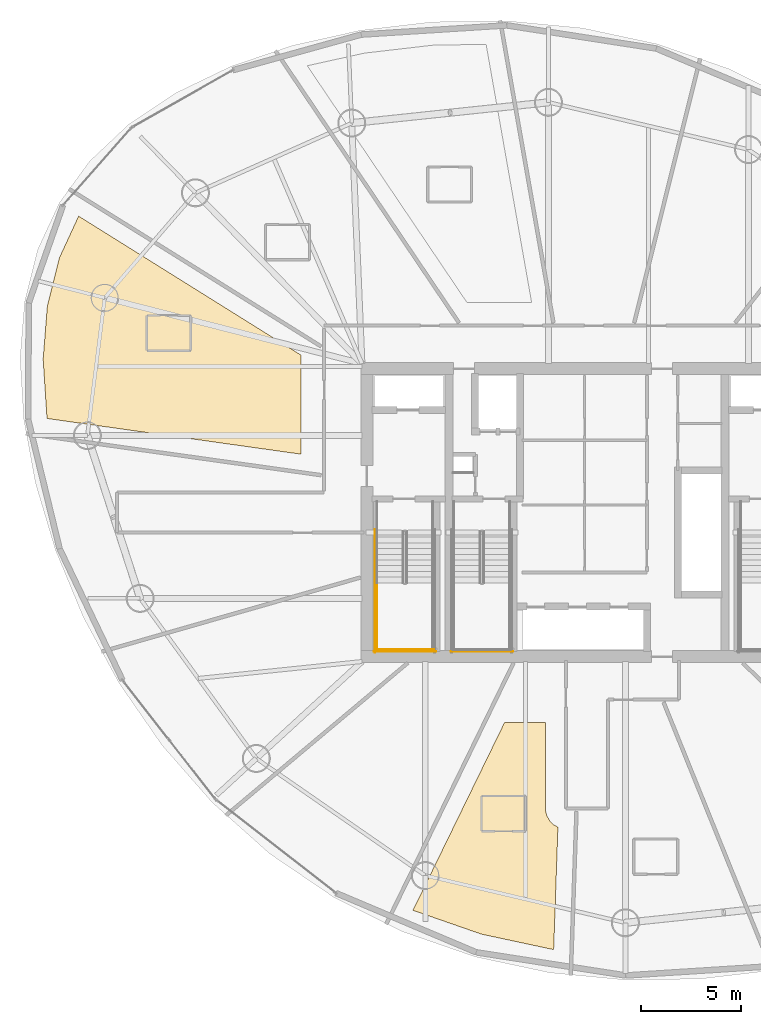
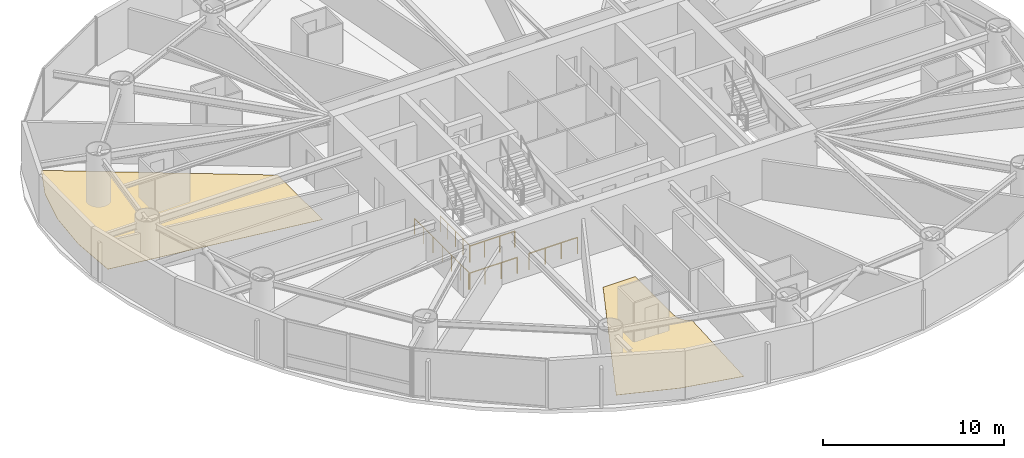
# One storey, part 18 of 20: 5 railings, 2 coverings.
"""IFC4 building model written with IfcOpenShell, lengths in metres."""

import ifcopenshell
import ifcopenshell.guid

model = None  # the IFC model being written
_history = None  # IfcOwnerHistory: only IFC2X3 demands one
_inside = {}  # id of a spatial element -> (the spatial element, [elements in it])
_under = {}  # id of a project, library or spatial element -> (it, [spatial elements below it])
_declared = {}  # id of a project -> (the project, [libraries it declares])
_typed = {}  # id of a type object -> (the type object, [elements of that type])
_made_of = {}  # id of a material, layer set ... -> (it, [elements and type objects made of it])


def new_model(schema):
    """Start an empty IFC model of exactly this schema.

    Asked for "IFC4X3", IfcOpenShell would pick the latest addendum, in which some entities
    have other attributes; the version numbers below select the first issue.
    IFC2X3 requires an IfcOwnerHistory on every rooted entity: one is made here for all.
    """
    global model, _history
    if schema == "IFC4X3":
        model = ifcopenshell.file(schema_version=(4, 3, 0, 0))
    else:
        model = ifcopenshell.file(schema=schema)
    _inside.clear()
    _under.clear()
    _declared.clear()
    _typed.clear()
    _made_of.clear()
    _history = None
    if model.schema == "IFC2X3":
        org = make("IfcOrganization", Name="unknown")
        user = make(
            "IfcPersonAndOrganization",
            ThePerson=make("IfcPerson", FamilyName="unknown"),
            TheOrganization=org,
        )
        app = make(
            "IfcApplication",
            ApplicationDeveloper=org,
            Version="unknown",
            ApplicationFullName="unknown",
            ApplicationIdentifier="unknown",
        )
        _history = make(
            "IfcOwnerHistory",
            OwningUser=user,
            OwningApplication=app,
            ChangeAction="ADDED",
            CreationDate=0,
        )
    return model


def make(cls, **values):
    """One entity of the class cls with the attributes given. An attribute that is None is left unset."""
    return model.create_entity(
        cls, **{name: value for name, value in values.items() if value is not None}
    )


def rooted(cls, **values):
    """An entity with a GlobalId (a new one), such as an element, a storey or a relation."""
    return make(cls, GlobalId=ifcopenshell.guid.new(), OwnerHistory=_history, **values)


def si_unit(unit_type, name, prefix=None):
    """IfcSIUnit, for example si_unit("LENGTHUNIT", "METRE", prefix="MILLI")."""
    return make("IfcSIUnit", UnitType=unit_type, Prefix=prefix, Name=name)


def assignment(units):
    """IfcUnitAssignment: the units of a project."""
    return None if units is None else make("IfcUnitAssignment", Units=units)


def point(xyz):
    """IfcCartesianPoint."""
    return None if xyz is None else make("IfcCartesianPoint", Coordinates=xyz)


def direction(xyz):
    """IfcDirection."""
    return None if xyz is None else make("IfcDirection", DirectionRatios=xyz)


def frame(location, z_axis=None, x_axis=None):
    """IfcAxis2Placement3D, a coordinate frame: its origin and axes. An axis left out is left unset."""
    return make(
        "IfcAxis2Placement3D",
        Location=point(location),
        Axis=direction(z_axis),
        RefDirection=direction(x_axis),
    )


def frame_2d(location, x_axis=None):
    """IfcAxis2Placement2D, a coordinate frame in the plane: its origin and x axis."""
    return make(
        "IfcAxis2Placement2D", Location=point(location), RefDirection=direction(x_axis)
    )


def origin():
    """The frame at (0, 0, 0) with its axes left unset."""
    return frame((0.0, 0.0, 0.0))


def origin_2d():
    """The frame at (0, 0) in the plane with its x axis left unset."""
    return frame_2d((0.0, 0.0))


def place(relative_to, where):
    """IfcLocalPlacement: puts the frame where relative to a parent placement (None: the world)."""
    return make(
        "IfcLocalPlacement", PlacementRelTo=relative_to, RelativePlacement=where
    )


def context(
    kind, dimensions, precision=None, world=None, true_north=None, identifier=None
):
    """IfcGeometricRepresentationContext, for example the 3D "Model" context."""
    return make(
        "IfcGeometricRepresentationContext",
        ContextIdentifier=identifier,
        ContextType=kind,
        CoordinateSpaceDimension=dimensions,
        Precision=precision,
        WorldCoordinateSystem=world,
        TrueNorth=true_north,
    )


def subcontext(parent, identifier, kind, view, scale=None):
    """IfcGeometricRepresentationSubContext, for example "Body" below "Model"."""
    return make(
        "IfcGeometricRepresentationSubContext",
        ContextIdentifier=identifier,
        ContextType=kind,
        ParentContext=parent,
        TargetScale=scale,
        TargetView=view,
    )


def project(units=None, contexts=None):
    """IfcProject with its units and contexts."""
    return rooted(
        "IfcProject",
        Name="project",
        RepresentationContexts=contexts,
        UnitsInContext=assignment(units),
    )


def spatial(cls, under=None, at=None, **own):
    """A site, building, storey or space (cls), placed at a placement, below another one or the project."""
    s = rooted(cls, ObjectPlacement=at, **own)
    if under is not None:
        _under.setdefault(under.id(), (under, []))[1].append(s)
    return s


def polyline(points):
    """IfcPolyline through the points."""
    return make("IfcPolyline", Points=[point(p) for p in points])


def profile(cls, at=None, kind="AREA", **sizes):
    """A parametric profile (cls). Its sizes go by their IFC names, for example OverallWidth=200.0."""
    return make(cls, ProfileType=kind, Position=at, **sizes)


def circle(**sizes):
    """IfcCircleProfileDef."""
    return profile("IfcCircleProfileDef", **sizes)


def outline(outer, holes=None, kind="AREA"):
    """IfcArbitraryClosedProfileDef: a profile drawn as a closed curve; with holes, ...WithVoids."""
    if holes is None:
        return make("IfcArbitraryClosedProfileDef", ProfileType=kind, OuterCurve=outer)
    return make(
        "IfcArbitraryProfileDefWithVoids",
        ProfileType=kind,
        OuterCurve=outer,
        InnerCurves=holes,
    )


def extrude(swept, where, along, depth):
    """IfcExtrudedAreaSolid: the profile swept, set in the frame where, extruded along a direction by depth."""
    return make(
        "IfcExtrudedAreaSolid",
        SweptArea=swept,
        Position=where,
        ExtrudedDirection=direction(along),
        Depth=depth,
    )


def shape(context_of_items, identifier, shape_type, items):
    """IfcShapeRepresentation: the items that make up one representation, for example the "Body"."""
    return make(
        "IfcShapeRepresentation",
        ContextOfItems=context_of_items,
        RepresentationIdentifier=identifier,
        RepresentationType=shape_type,
        Items=items,
    )


def material(Name=None, Category=None):
    """IfcMaterial."""
    return make("IfcMaterial", Name=Name, Category=Category)


def layer(
    of_material, thickness, ventilated=None, Name=None, Category=None, Priority=None
):
    """IfcMaterialLayer: one layer of a wall or slab, of a material (None: an air gap)."""
    return make(
        "IfcMaterialLayer",
        Material=of_material,
        LayerThickness=thickness,
        IsVentilated=ventilated,
        Name=Name,
        Category=Category,
        Priority=Priority,
    )


def layer_set(layers, Name=None):
    """IfcMaterialLayerSet."""
    return make("IfcMaterialLayerSet", MaterialLayers=layers, LayerSetName=Name)


def made_of(thing, what):
    """Note that an element or type object is made of a material, layer set ...; save() writes the relation."""
    if what is not None:
        _made_of.setdefault(what.id(), (what, []))[1].append(thing)
    return thing


def type_object(cls, material=None, **own):
    """A type object (cls), such as IfcWallType, which elements share."""
    return made_of(rooted(cls, **own), material)


def element(
    cls,
    number,
    at=None,
    inside=None,
    cuts=None,
    type_object=None,
    material=None,
    context=None,
    identifier="Body",
    shape_type=None,
    held_by="IfcProductDefinitionShape",
    body=None,
    shapes=None,
    **own,
):
    """One element of the class cls, such as IfcWall. Its Tag is "e" and its number.

    at: its placement. inside: the storey or other place that contains it. cuts: it is an
    opening in that element (IfcRelVoidsElement). A single representation is given by context,
    identifier, shape_type and body (its items); several are given by shapes. held_by: the class
    of the entity that holds the representations. save() writes the other relations.
    """
    e = rooted(cls, Tag="e%d" % number, ObjectPlacement=at, **own)
    if body is not None:
        shapes = [shape(context, identifier, shape_type, body)]
    if shapes is not None:
        e.Representation = make(held_by, Representations=shapes)
    if inside is not None:
        _inside.setdefault(inside.id(), (inside, []))[1].append(e)
    if cuts is not None:
        rooted(
            "IfcRelVoidsElement", RelatingBuildingElement=cuts, RelatedOpeningElement=e
        )
    if type_object is not None:
        _typed.setdefault(type_object.id(), (type_object, []))[1].append(e)
    return made_of(e, material)


def aggregate(whole, parts):
    """IfcRelAggregates: a whole, such as a stair, and the parts it consists of."""
    return rooted("IfcRelAggregates", RelatingObject=whole, RelatedObjects=parts)


def save(model, path):
    """Write the relations noted so far, then the file.

    IfcRelAggregates (storeys below a building ...), IfcRelContainedInSpatialStructure (elements
    in a storey), IfcRelDefinesByType, IfcRelAssociatesMaterial and IfcRelDeclares: one each for
    every whole, place, type object, material and project.
    """
    for whole, parts in _under.values():
        aggregate(whole, parts)
    for where, things in _inside.values():
        rooted(
            "IfcRelContainedInSpatialStructure",
            RelatedElements=things,
            RelatingStructure=where,
        )
    for kind, things in _typed.values():
        rooted("IfcRelDefinesByType", RelatedObjects=things, RelatingType=kind)
    for what, things in _made_of.values():
        rooted("IfcRelAssociatesMaterial", RelatedObjects=things, RelatingMaterial=what)
    for by, libraries in _declared.values():
        rooted("IfcRelDeclares", RelatingContext=by, RelatedDefinitions=libraries)
    model.write(path)


model = new_model("IFC4")

# Units and contexts
model_context = context("Model", 3, precision=1e-05, world=origin(), true_north=direction((0.0, 1.0)))
body_context = subcontext(model_context, "Body", "Model", "MODEL_VIEW")
ifc_project = project(units=[si_unit("LENGTHUNIT", "METRE"), si_unit("AREAUNIT", "SQUARE_METRE"), si_unit("VOLUMEUNIT", "CUBIC_METRE"), si_unit("PLANEANGLEUNIT", "RADIAN"), si_unit("MASSUNIT", "GRAM", prefix="KILO")], contexts=[model_context])

# Site, building, storey
site_placement = place(None, origin())
site = spatial("IfcSite", under=ifc_project, at=site_placement, CompositionType="ELEMENT")
building_placement = place(site_placement, origin())
building = spatial("IfcBuilding", under=site, at=building_placement, Name="Bramvorn Convention Spire", CompositionType="ELEMENT")
storey_placement = place(building_placement, frame((0.0, 0.0, 151.800048828125)))
storey = spatial("IfcBuildingStorey", under=building, at=storey_placement, Name="L38", CompositionType="ELEMENT", Elevation=151.800048828125)

# Coverings
ifc_material_1 = material(Name="Solution-Dyed Wool Broadloom Hospitality Carpet", Category="textile")
ifc_layer = layer(ifc_material_1, 0.014892578125)
ifc_layer_set = layer_set([ifc_layer], Name="Solution-Dyed Wool Broadloom Hospitality Carpet - FLR-CARPET-15")
covering_type = type_object("IfcCoveringType", Name="FLR-CARPET-15", PredefinedType="FLOORING", material=ifc_layer_set)
covering_1_placement = place(storey_placement, origin())
element("IfcCovering", 1, at=covering_1_placement, inside=storey, type_object=covering_type, Name="Hotel Suite 3807 wool broadloom carpet", PredefinedType="FLOORING", context=body_context, shape_type="SweptSolid", body=[
    extrude(outline(polyline([(10.99658203125, 30.703857421875), (23.699951171875, 28.918701171875), (23.699951171875, 33.87451171875), (12.578369140625, 40.823974609375), (11.61669921875, 38.74072265625), (11.014404296875, 36.33349609375), (10.802734375, 33.671142578125), (10.99658203125, 30.703857421875)])), origin(), (0.0, 0.0, 1.0), 0.014892578125),
])
covering_2_placement = place(storey_placement, origin())
element("IfcCovering", 2, at=covering_2_placement, inside=storey, type_object=covering_type, Name="Hotel Suite 3811 wool broadloom carpet", PredefinedType="FLOORING", context=body_context, shape_type="SweptSolid", body=[
    extrude(outline(polyline([(32.716796875, 4.915771484375), (36.336181640625, 4.139892578125), (36.5498046875, 10.262939453125), (36.337646484375, 10.384521484375), (36.134521484375, 10.587646484375), (35.99169921875, 10.850830078125), (35.940185546875, 11.05615234375), (35.929931640625, 15.5), (33.880126953125, 15.5), (29.298095703125, 6.10546875), (32.716796875, 4.915771484375)])), origin(), (0.0, 0.0, 1.0), 0.014892578125),
])

# Railings
ifc_material_2 = material(Name="Painted Steel Balustrade & Guardrail", Category="steel")
railing_type = type_object("IfcRailingType", Name="RL-STAIR-GUARD-1100", PredefinedType="GUARDRAIL", material=ifc_material_2)
railing_1_placement = place(storey_placement, frame((27.5, 22.485107421875, 1.75)))
element("IfcRailing", 3, at=railing_1_placement, inside=storey, type_object=railing_type, Name="L38 ST1 stair guard 3", PredefinedType="GUARDRAIL", context=body_context, shape_type="SweptSolid", body=[
    extrude(circle(Radius=0.02392578125, at=origin_2d()), frame((0.0, 0.0, 1.076171875), z_axis=(0.0, -1.0, 0.0), x_axis=(1.0, 0.0, 0.0)), (0.0, 0.0, 1.0), 3.385009765625),
    extrude(circle(Radius=0.02099609375, at=origin_2d()), origin(), (0.0, 0.0, 1.0), 1.052001953125),
    extrude(circle(Radius=0.02099609375, at=origin_2d()), frame((0.0, -0.84619140625, 0.0)), (0.0, 0.0, 1.0), 1.052001953125),
    extrude(circle(Radius=0.02099609375, at=origin_2d()), frame((0.0, -1.6923828125, 0.0)), (0.0, 0.0, 1.0), 1.052001953125),
    extrude(circle(Radius=0.02099609375, at=origin_2d()), frame((0.0, -2.538818359375, 0.0)), (0.0, 0.0, 1.0), 1.052001953125),
    extrude(circle(Radius=0.02099609375, at=origin_2d()), frame((0.0, -3.385009765625, 0.0)), (0.0, 0.0, 1.0), 1.052001953125),
])
railing_2_placement = place(storey_placement, frame((27.449951171875, 19.14990234375, 1.75)))
element("IfcRailing", 4, at=railing_2_placement, inside=storey, type_object=railing_type, Name="L38 ST1 stair guard 5", PredefinedType="GUARDRAIL", context=body_context, shape_type="SweptSolid", body=[
    extrude(circle(Radius=0.02392578125, at=origin_2d()), frame((0.0, 0.0, 1.076171875), z_axis=(1.0, 0.0, 0.0), x_axis=(0.0, 1.0, 0.0)), (0.0, 0.0, 1.0), 2.900146484375),
    extrude(circle(Radius=0.02099609375, at=origin_2d()), origin(), (0.0, 0.0, 1.0), 1.052001953125),
    extrude(circle(Radius=0.02099609375, at=origin_2d()), frame((0.966796875, 0.0, 0.0)), (0.0, 0.0, 1.0), 1.052001953125),
    extrude(circle(Radius=0.02099609375, at=origin_2d()), frame((1.933349609375, 0.0, 0.0)), (0.0, 0.0, 1.0), 1.052001953125),
    extrude(circle(Radius=0.02099609375, at=origin_2d()), frame((2.900146484375, 0.0, 0.0)), (0.0, 0.0, 1.0), 1.052001953125),
])
railing_3_placement = place(storey_placement, frame((27.39990234375, 25.14990234375, 0.0)))
element("IfcRailing", 5, at=railing_3_placement, inside=storey, type_object=railing_type, Name="L38 ST1 stair guard 10", PredefinedType="GUARDRAIL", context=body_context, shape_type="SweptSolid", body=[
    extrude(circle(Radius=0.02392578125, at=origin_2d()), frame((0.0, 0.0, 1.076171875), z_axis=(0.0, -1.0, 0.0), x_axis=(1.0, 0.0, 0.0)), (0.0, 0.0, 1.0), 6.14990234375),
    extrude(circle(Radius=0.02099609375, at=origin_2d()), origin(), (0.0, 0.0, 1.0), 1.052001953125),
    extrude(circle(Radius=0.02099609375, at=origin_2d()), frame((0.0, -1.02490234375, 0.0)), (0.0, 0.0, 1.0), 1.052001953125),
    extrude(circle(Radius=0.02099609375, at=origin_2d()), frame((0.0, -2.050048828125, 0.0)), (0.0, 0.0, 1.0), 1.052001953125),
    extrude(circle(Radius=0.02099609375, at=origin_2d()), frame((0.0, -3.074951171875, 0.0)), (0.0, 0.0, 1.0), 1.052001953125),
    extrude(circle(Radius=0.02099609375, at=origin_2d()), frame((0.0, -4.099853515625, 0.0)), (0.0, 0.0, 1.0), 1.052001953125),
    extrude(circle(Radius=0.02099609375, at=origin_2d()), frame((0.0, -5.125, 0.0)), (0.0, 0.0, 1.0), 1.052001953125),
    extrude(circle(Radius=0.02099609375, at=origin_2d()), frame((0.0, -6.14990234375, 0.0)), (0.0, 0.0, 1.0), 1.052001953125),
])
railing_4_placement = place(storey_placement, frame((27.35009765625, 19.050048828125, 0.0)))
element("IfcRailing", 6, at=railing_4_placement, inside=storey, type_object=railing_type, Name="L38 ST1 stair guard 12", PredefinedType="GUARDRAIL", context=body_context, shape_type="SweptSolid", body=[
    extrude(circle(Radius=0.02392578125, at=origin_2d()), frame((0.0, 0.0, 1.076171875), z_axis=(1.0, 0.0, 0.0), x_axis=(0.0, 1.0, 0.0)), (0.0, 0.0, 1.0), 3.099853515625),
    extrude(circle(Radius=0.02099609375, at=origin_2d()), origin(), (0.0, 0.0, 1.0), 1.052001953125),
    extrude(circle(Radius=0.02099609375, at=origin_2d()), frame((1.033203125, 0.0, 0.0)), (0.0, 0.0, 1.0), 1.052001953125),
    extrude(circle(Radius=0.02099609375, at=origin_2d()), frame((2.066650390625, 0.0, 0.0)), (0.0, 0.0, 1.0), 1.052001953125),
    extrude(circle(Radius=0.02099609375, at=origin_2d()), frame((3.099853515625, 0.0, 0.0)), (0.0, 0.0, 1.0), 1.052001953125),
])
railing_5_placement = place(storey_placement, frame((31.199951171875, 19.050048828125, 0.0)))
element("IfcRailing", 7, at=railing_5_placement, inside=storey, type_object=railing_type, Name="L38 ST3 stair guard 12", PredefinedType="GUARDRAIL", context=body_context, shape_type="SweptSolid", body=[
    extrude(circle(Radius=0.02392578125, at=origin_2d()), frame((0.0, 0.0, 1.076171875), z_axis=(1.0, 0.0, 0.0), x_axis=(0.0, 1.0, 0.0)), (0.0, 0.0, 1.0), 3.10009765625),
    extrude(circle(Radius=0.02099609375, at=origin_2d()), origin(), (0.0, 0.0, 1.0), 1.052001953125),
    extrude(circle(Radius=0.02099609375, at=origin_2d()), frame((1.033447265625, 0.0, 0.0)), (0.0, 0.0, 1.0), 1.052001953125),
    extrude(circle(Radius=0.02099609375, at=origin_2d()), frame((2.066650390625, 0.0, 0.0)), (0.0, 0.0, 1.0), 1.052001953125),
    extrude(circle(Radius=0.02099609375, at=origin_2d()), frame((3.10009765625, 0.0, 0.0)), (0.0, 0.0, 1.0), 1.052001953125),
])

save(model, "model.ifc")
